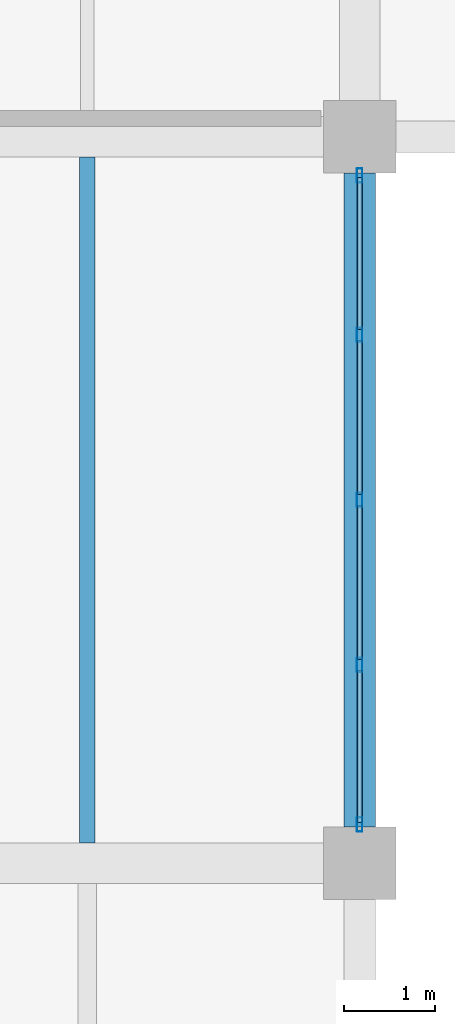
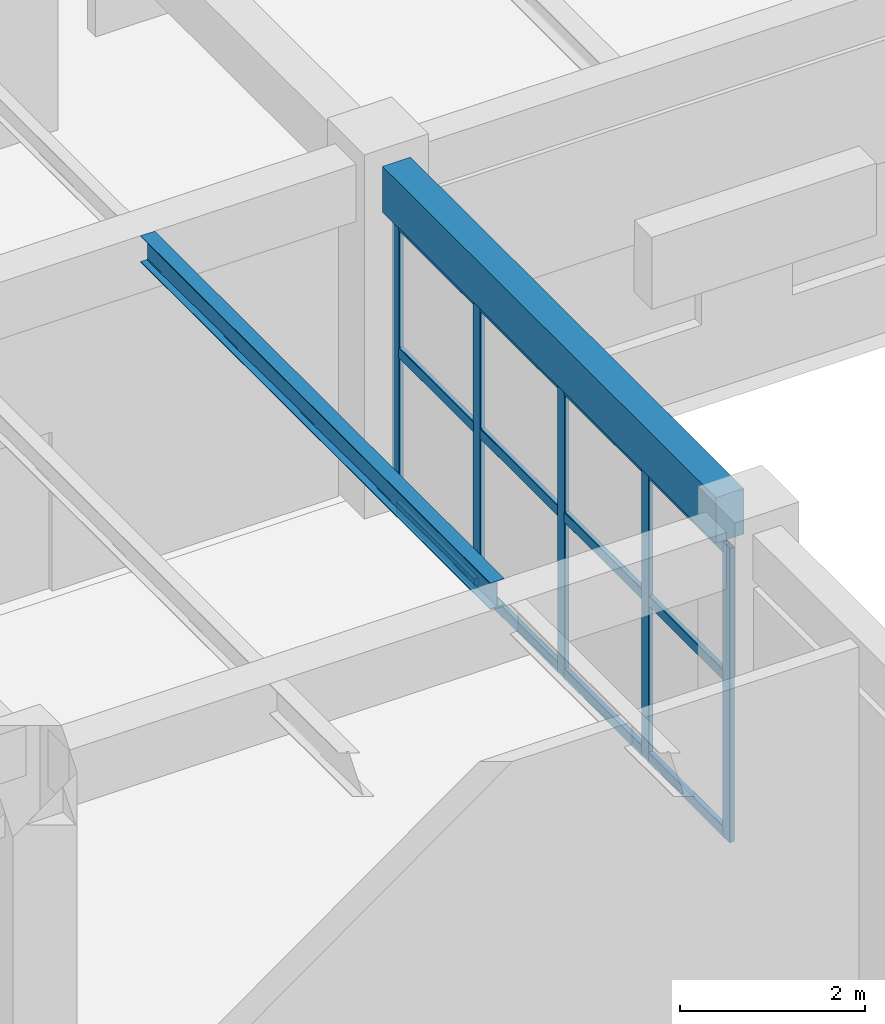
# One storey, part 28 of 178: 17 members, 2 beams, 1 element without a shape of its own.
"""IFC4 building model written with IfcOpenShell, lengths in metres."""

from ifc_helpers import new_model, si_unit, derived_unit, direction, frame, origin, origin_2d, place, context, subcontext, project, spatial, rectangle, hollow_rectangle, i_section, extrude, material, material_profile, profile_set, type_object, element, aggregate, save


model = new_model("IFC4")

# Units and contexts
model_context = context("Model", 3, precision=1e-05, world=origin(), true_north=direction((0.0, 1.0)))
body_context = subcontext(model_context, "Body", "Model", "MODEL_VIEW")
ifc_project = project(units=[si_unit("LENGTHUNIT", "METRE"), si_unit("AREAUNIT", "SQUARE_METRE"), si_unit("VOLUMEUNIT", "CUBIC_METRE"), si_unit("PLANEANGLEUNIT", "RADIAN"), si_unit("MASSUNIT", "GRAM", prefix="KILO"), derived_unit("THERMALTRANSMITTANCEUNIT", [(si_unit("MASSUNIT", "GRAM", prefix="KILO"), 1), (si_unit("TIMEUNIT", "SECOND"), -3), (si_unit("THERMODYNAMICTEMPERATUREUNIT", "KELVIN"), -1)])], contexts=[model_context])

# Site, building, storey
site_placement = place(None, origin())
site = spatial("IfcSite", under=ifc_project, at=site_placement, CompositionType="ELEMENT")
building_placement = place(site_placement, origin())
building = spatial("IfcBuilding", under=site, at=building_placement, Name="Zhenchuan Archway Interchange", CompositionType="ELEMENT")
storey_placement = place(building_placement, frame((0.0, 0.0, 5.39990234375)))
storey = spatial("IfcBuildingStorey", under=building, at=storey_placement, Name="L01", CompositionType="ELEMENT", Elevation=5.39990234375)

# Curtain wall, members
ifc_material_1 = material(Name="Anodised Aluminium", Category="aluminium")
curtain_wall_type = type_object("IfcCurtainWallType", Name="CW_UNIT_2", PredefinedType="NOTDEFINED", material=ifc_material_1)
curtain_wall_placement = place(storey_placement, origin())
curtain_wall = element("IfcCurtainWall", 1, at=curtain_wall_placement, inside=storey, type_object=curtain_wall_type, Name="Unitised curtain wall CW:L01:081", PredefinedType="NOTDEFINED")
ifc_material_profile_1 = material_profile(ifc_material_1, hollow_rectangle(XDim=0.06005859375, YDim=0.159912109375, WallThickness=0.00390625, InnerFilletRadius=0.00390625, OuterFilletRadius=0.008056640625, at=origin_2d()), Name="ALU 160x60x4")
ifc_profile_set_1 = profile_set([ifc_material_profile_1], Name="Anodised Aluminium")
member_type_1 = type_object("IfcMemberType", Name="CW_MUL_150", PredefinedType="MULLION", material=ifc_profile_set_1)
member_1_placement = place(storey_placement, frame((45.0, 15.572021484375, 0.0), z_axis=(0.0, 0.0, 1.0), x_axis=(1.0, 0.0, 0.0)))
member_1 = element("IfcMember", 2, at=member_1_placement, type_object=member_type_1, Name="CW:L01:081 mullion 0", PredefinedType="MULLION", context=body_context, shape_type="SweptSolid", body=[
    extrude(hollow_rectangle(XDim=0.06005859375, YDim=0.159912109375, WallThickness=0.00390625, InnerFilletRadius=0.00390625, OuterFilletRadius=0.008056640625, at=origin_2d()), origin(), (0.0, 0.0, 1.0), 3.880126953125),
])
member_2_placement = place(storey_placement, frame((45.0, 13.81591796875, 0.0), z_axis=(0.0, 0.0, 1.0), x_axis=(1.0, 0.0, 0.0)))
member_2 = element("IfcMember", 3, at=member_2_placement, type_object=member_type_1, Name="CW:L01:081 mullion 1", PredefinedType="MULLION", context=body_context, shape_type="SweptSolid", body=[
    extrude(hollow_rectangle(XDim=0.06005859375, YDim=0.159912109375, WallThickness=0.00390625, InnerFilletRadius=0.00390625, OuterFilletRadius=0.008056640625, at=origin_2d()), origin(), (0.0, 0.0, 1.0), 3.880126953125),
])
member_3_placement = place(storey_placement, frame((45.0, 12.0, 0.0), z_axis=(0.0, 0.0, 1.0), x_axis=(1.0, 0.0, 0.0)))
member_3 = element("IfcMember", 4, at=member_3_placement, type_object=member_type_1, Name="CW:L01:081 mullion 2", PredefinedType="MULLION", context=body_context, shape_type="SweptSolid", body=[
    extrude(hollow_rectangle(XDim=0.06005859375, YDim=0.159912109375, WallThickness=0.00390625, InnerFilletRadius=0.00390625, OuterFilletRadius=0.008056640625, at=origin_2d()), origin(), (0.0, 0.0, 1.0), 3.880126953125),
])
member_4_placement = place(storey_placement, frame((45.0, 10.18408203125, 0.0), z_axis=(0.0, 0.0, 1.0), x_axis=(1.0, 0.0, 0.0)))
member_4 = element("IfcMember", 5, at=member_4_placement, type_object=member_type_1, Name="CW:L01:081 mullion 3", PredefinedType="MULLION", context=body_context, shape_type="SweptSolid", body=[
    extrude(hollow_rectangle(XDim=0.06005859375, YDim=0.159912109375, WallThickness=0.00390625, InnerFilletRadius=0.00390625, OuterFilletRadius=0.008056640625, at=origin_2d()), origin(), (0.0, 0.0, 1.0), 3.880126953125),
])
member_5_placement = place(storey_placement, frame((45.0, 8.427978515625, 0.0), z_axis=(0.0, 0.0, 1.0), x_axis=(1.0, 0.0, 0.0)))
member_5 = element("IfcMember", 6, at=member_5_placement, type_object=member_type_1, Name="CW:L01:081 mullion 4", PredefinedType="MULLION", context=body_context, shape_type="SweptSolid", body=[
    extrude(hollow_rectangle(XDim=0.06005859375, YDim=0.159912109375, WallThickness=0.00390625, InnerFilletRadius=0.00390625, OuterFilletRadius=0.008056640625, at=origin_2d()), origin(), (0.0, 0.0, 1.0), 3.880126953125),
])
ifc_material_profile_2 = material_profile(ifc_material_1, hollow_rectangle(XDim=0.06005859375, YDim=0.139892578125, WallThickness=0.00341796875, InnerFilletRadius=0.00341796875, OuterFilletRadius=0.007080078125, at=origin_2d()), Name="ALU 140x60x3.5")
ifc_profile_set_2 = profile_set([ifc_material_profile_2], Name="Anodised Aluminium")
member_type_2 = type_object("IfcMemberType", Name="CW_TRN_140", PredefinedType="USERDEFINED", material=ifc_profile_set_2)
member_6_placement = place(storey_placement, frame((45.0, 15.552001953125, 0.06005859375), z_axis=(0.0, -1.0, 0.0), x_axis=(1.0, 0.0, 0.0)))
member_6 = element("IfcMember", 7, at=member_6_placement, type_object=member_type_2, Name="CW:L01:081 transom 0-1", ObjectType="TRANSOM", PredefinedType="USERDEFINED", context=body_context, shape_type="SweptSolid", body=[
    extrude(hollow_rectangle(XDim=0.06005859375, YDim=0.139892578125, WallThickness=0.00341796875, InnerFilletRadius=0.00341796875, OuterFilletRadius=0.007080078125, at=origin_2d()), origin(), (0.0, 0.0, 1.0), 1.676025390625),
])
member_7_placement = place(storey_placement, frame((45.0, 15.552001953125, 2.123046875), z_axis=(0.0, -1.0, 0.0), x_axis=(1.0, 0.0, 0.0)))
member_7 = element("IfcMember", 8, at=member_7_placement, type_object=member_type_2, Name="CW:L01:081 transom 0-2", ObjectType="TRANSOM", PredefinedType="USERDEFINED", context=body_context, shape_type="SweptSolid", body=[
    extrude(hollow_rectangle(XDim=0.06005859375, YDim=0.139892578125, WallThickness=0.00341796875, InnerFilletRadius=0.00341796875, OuterFilletRadius=0.007080078125, at=origin_2d()), origin(), (0.0, 0.0, 1.0), 1.676025390625),
])
member_8_placement = place(storey_placement, frame((45.0, 15.552001953125, 3.800048828125), z_axis=(0.0, -1.0, 0.0), x_axis=(1.0, 0.0, 0.0)))
member_8 = element("IfcMember", 9, at=member_8_placement, type_object=member_type_2, Name="CW:L01:081 transom 0-3", ObjectType="TRANSOM", PredefinedType="USERDEFINED", context=body_context, shape_type="SweptSolid", body=[
    extrude(hollow_rectangle(XDim=0.06005859375, YDim=0.139892578125, WallThickness=0.00341796875, InnerFilletRadius=0.00341796875, OuterFilletRadius=0.007080078125, at=origin_2d()), origin(), (0.0, 0.0, 1.0), 1.676025390625),
])
member_9_placement = place(storey_placement, frame((45.0, 13.756103515625, 0.06005859375), z_axis=(0.0, -1.0, 0.0), x_axis=(1.0, 0.0, 0.0)))
member_9 = element("IfcMember", 10, at=member_9_placement, type_object=member_type_2, Name="CW:L01:081 transom 1-1", ObjectType="TRANSOM", PredefinedType="USERDEFINED", context=body_context, shape_type="SweptSolid", body=[
    extrude(hollow_rectangle(XDim=0.06005859375, YDim=0.139892578125, WallThickness=0.00341796875, InnerFilletRadius=0.00341796875, OuterFilletRadius=0.007080078125, at=origin_2d()), origin(), (0.0, 0.0, 1.0), 1.696044921875),
])
member_10_placement = place(storey_placement, frame((45.0, 13.756103515625, 2.123046875), z_axis=(0.0, -1.0, 0.0), x_axis=(1.0, 0.0, 0.0)))
member_10 = element("IfcMember", 11, at=member_10_placement, type_object=member_type_2, Name="CW:L01:081 transom 1-2", ObjectType="TRANSOM", PredefinedType="USERDEFINED", context=body_context, shape_type="SweptSolid", body=[
    extrude(hollow_rectangle(XDim=0.06005859375, YDim=0.139892578125, WallThickness=0.00341796875, InnerFilletRadius=0.00341796875, OuterFilletRadius=0.007080078125, at=origin_2d()), origin(), (0.0, 0.0, 1.0), 1.696044921875),
])
member_11_placement = place(storey_placement, frame((45.0, 13.756103515625, 3.800048828125), z_axis=(0.0, -1.0, 0.0), x_axis=(1.0, 0.0, 0.0)))
member_11 = element("IfcMember", 12, at=member_11_placement, type_object=member_type_2, Name="CW:L01:081 transom 1-3", ObjectType="TRANSOM", PredefinedType="USERDEFINED", context=body_context, shape_type="SweptSolid", body=[
    extrude(hollow_rectangle(XDim=0.06005859375, YDim=0.139892578125, WallThickness=0.00341796875, InnerFilletRadius=0.00341796875, OuterFilletRadius=0.007080078125, at=origin_2d()), origin(), (0.0, 0.0, 1.0), 1.696044921875),
])
member_12_placement = place(storey_placement, frame((45.0, 11.93994140625, 0.06005859375), z_axis=(0.0, -1.0, 0.0), x_axis=(1.0, 0.0, 0.0)))
member_12 = element("IfcMember", 13, at=member_12_placement, type_object=member_type_2, Name="CW:L01:081 transom 2-1", ObjectType="TRANSOM", PredefinedType="USERDEFINED", context=body_context, shape_type="SweptSolid", body=[
    extrude(hollow_rectangle(XDim=0.06005859375, YDim=0.139892578125, WallThickness=0.00341796875, InnerFilletRadius=0.00341796875, OuterFilletRadius=0.007080078125, at=origin_2d()), origin(), (0.0, 0.0, 1.0), 1.696044921875),
])
member_13_placement = place(storey_placement, frame((45.0, 11.93994140625, 2.123046875), z_axis=(0.0, -1.0, 0.0), x_axis=(1.0, 0.0, 0.0)))
member_13 = element("IfcMember", 14, at=member_13_placement, type_object=member_type_2, Name="CW:L01:081 transom 2-2", ObjectType="TRANSOM", PredefinedType="USERDEFINED", context=body_context, shape_type="SweptSolid", body=[
    extrude(hollow_rectangle(XDim=0.06005859375, YDim=0.139892578125, WallThickness=0.00341796875, InnerFilletRadius=0.00341796875, OuterFilletRadius=0.007080078125, at=origin_2d()), origin(), (0.0, 0.0, 1.0), 1.696044921875),
])
member_14_placement = place(storey_placement, frame((45.0, 11.93994140625, 3.800048828125), z_axis=(0.0, -1.0, 0.0), x_axis=(1.0, 0.0, 0.0)))
member_14 = element("IfcMember", 15, at=member_14_placement, type_object=member_type_2, Name="CW:L01:081 transom 2-3", ObjectType="TRANSOM", PredefinedType="USERDEFINED", context=body_context, shape_type="SweptSolid", body=[
    extrude(hollow_rectangle(XDim=0.06005859375, YDim=0.139892578125, WallThickness=0.00341796875, InnerFilletRadius=0.00341796875, OuterFilletRadius=0.007080078125, at=origin_2d()), origin(), (0.0, 0.0, 1.0), 1.696044921875),
])
member_15_placement = place(storey_placement, frame((45.0, 10.1240234375, 0.06005859375), z_axis=(0.0, -1.0, 0.0), x_axis=(1.0, 0.0, 0.0)))
member_15 = element("IfcMember", 16, at=member_15_placement, type_object=member_type_2, Name="CW:L01:081 transom 3-1", ObjectType="TRANSOM", PredefinedType="USERDEFINED", context=body_context, shape_type="SweptSolid", body=[
    extrude(hollow_rectangle(XDim=0.06005859375, YDim=0.139892578125, WallThickness=0.00341796875, InnerFilletRadius=0.00341796875, OuterFilletRadius=0.007080078125, at=origin_2d()), origin(), (0.0, 0.0, 1.0), 1.676025390625),
])
member_16_placement = place(storey_placement, frame((45.0, 10.1240234375, 2.123046875), z_axis=(0.0, -1.0, 0.0), x_axis=(1.0, 0.0, 0.0)))
member_16 = element("IfcMember", 17, at=member_16_placement, type_object=member_type_2, Name="CW:L01:081 transom 3-2", ObjectType="TRANSOM", PredefinedType="USERDEFINED", context=body_context, shape_type="SweptSolid", body=[
    extrude(hollow_rectangle(XDim=0.06005859375, YDim=0.139892578125, WallThickness=0.00341796875, InnerFilletRadius=0.00341796875, OuterFilletRadius=0.007080078125, at=origin_2d()), origin(), (0.0, 0.0, 1.0), 1.676025390625),
])
member_17_placement = place(storey_placement, frame((45.0, 10.1240234375, 3.800048828125), z_axis=(0.0, -1.0, 0.0), x_axis=(1.0, 0.0, 0.0)))
member_17 = element("IfcMember", 18, at=member_17_placement, type_object=member_type_2, Name="CW:L01:081 transom 3-3", ObjectType="TRANSOM", PredefinedType="USERDEFINED", context=body_context, shape_type="SweptSolid", body=[
    extrude(hollow_rectangle(XDim=0.06005859375, YDim=0.139892578125, WallThickness=0.00341796875, InnerFilletRadius=0.00341796875, OuterFilletRadius=0.007080078125, at=origin_2d()), origin(), (0.0, 0.0, 1.0), 1.676025390625),
])
aggregate(curtain_wall, [member_1, member_2, member_3, member_4, member_5, member_6, member_7, member_8, member_9, member_10, member_11, member_12, member_13, member_14, member_15, member_16, member_17])

# Beams
ifc_material_2 = material(Name="Steel Q355", Category="steel")
ifc_material_profile_3 = material_profile(ifc_material_2, i_section(OverallWidth=0.175048828125, OverallDepth=0.35009765625, WebThickness=0.007080078125, FlangeThickness=0.010986328125, FilletRadius=0.013916015625, at=origin_2d()), Name="HN 350x175")
ifc_profile_set_3 = profile_set([ifc_material_profile_3], Name="Steel Q355")
beam_type_1 = type_object("IfcBeamType", Name="JST_STL_HN350", PredefinedType="JOIST", material=ifc_profile_set_3)
beam_1_placement = place(storey_placement, frame((42.0, 8.22509765625, 4.39501953125), z_axis=(0.0, 1.0, 0.0), x_axis=(-1.0, 0.0, 0.0)))
element("IfcBeam", 19, at=beam_1_placement, inside=storey, type_object=beam_type_1, Name="Secondary joist 5-6/B-C #2 (L01)", PredefinedType="JOIST", context=body_context, shape_type="SweptSolid", body=[
    extrude(i_section(OverallWidth=0.175048828125, OverallDepth=0.35009765625, WebThickness=0.007080078125, FlangeThickness=0.010986328125, FilletRadius=0.013916015625, at=origin_2d()), origin(), (0.0, 0.0, 1.0), 7.5498046875),
])
ifc_material_3 = material(Name="Concrete C40", Category="concrete")
ifc_material_profile_4 = material_profile(ifc_material_3, rectangle(XDim=0.35009765625, YDim=0.60009765625, at=origin_2d()), Name="RC 350x600")
ifc_profile_set_4 = profile_set([ifc_material_profile_4], Name="Concrete C40")
beam_type_2 = type_object("IfcBeamType", Name="SP_RC_350x600", PredefinedType="SPANDREL", material=ifc_profile_set_4)
beam_2_placement = place(storey_placement, frame((45.0, 8.39990234375, 4.27001953125), z_axis=(0.0, 1.0, 0.0), x_axis=(-1.0, 0.0, 0.0)))
element("IfcBeam", 20, at=beam_2_placement, inside=storey, type_object=beam_type_2, Name="Beam 6:B-C (L01)", PredefinedType="SPANDREL", context=body_context, shape_type="SweptSolid", body=[
    extrude(rectangle(XDim=0.35009765625, YDim=0.60009765625, at=origin_2d()), origin(), (0.0, 0.0, 1.0), 7.2001953125),
])

save(model, "model.ifc")
